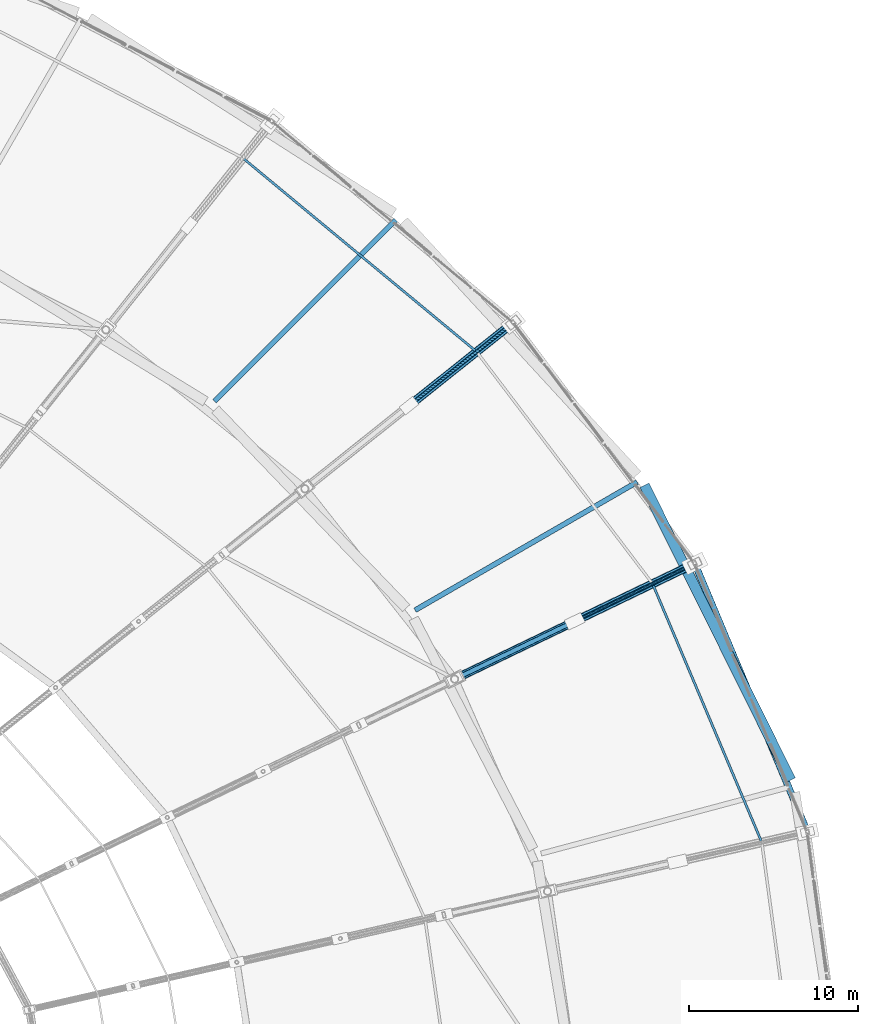
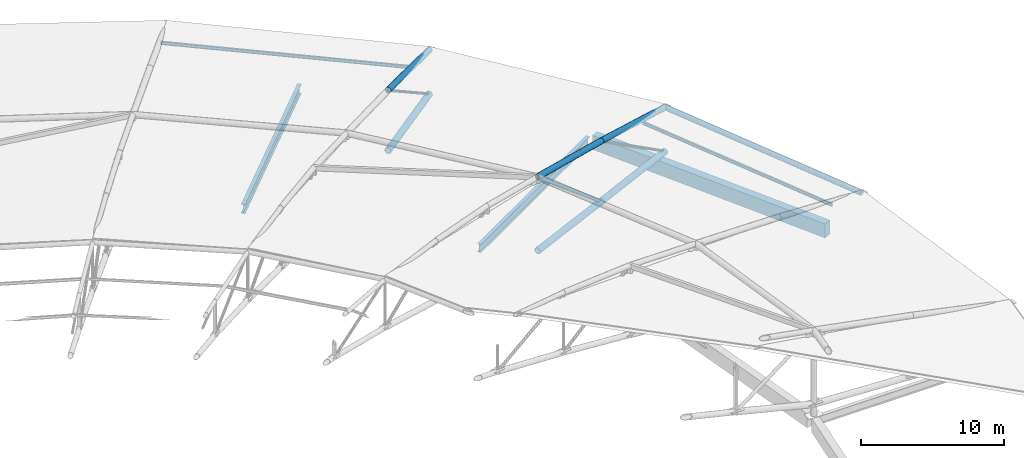
# One storey, part 80 of 108: 12 members, 3 beams.
"""IFC4 building model written with IfcOpenShell, lengths in metres."""

from ifc_helpers import new_model, si_unit, direction, frame, origin, origin_2d, place, context, subcontext, project, spatial, rectangle, hollow_circle, i_section, extrude, material, material_profile, profile_set, type_object, element, save


model = new_model("IFC4")

# Units and contexts
model_context = context("Model", 3, precision=1e-05, world=origin(), true_north=direction((0.0, 1.0)))
body_context = subcontext(model_context, "Body", "Model", "MODEL_VIEW")
ifc_project = project(units=[si_unit("LENGTHUNIT", "METRE"), si_unit("AREAUNIT", "SQUARE_METRE"), si_unit("VOLUMEUNIT", "CUBIC_METRE"), si_unit("PLANEANGLEUNIT", "RADIAN"), si_unit("MASSUNIT", "GRAM", prefix="KILO")], contexts=[model_context])

# Site, building, storey
site_placement = place(None, origin())
site = spatial("IfcSite", under=ifc_project, at=site_placement, CompositionType="ELEMENT")
building_placement = place(site_placement, origin())
building = spatial("IfcBuilding", under=site, at=building_placement, Name="Zevraka Park Crest Stadium", CompositionType="ELEMENT")
storey_placement = place(building_placement, frame((0.0, 0.0, 29.39990234375)))
storey = spatial("IfcBuildingStorey", under=building, at=storey_placement, Name="RF", CompositionType="ELEMENT", Elevation=29.39990234375)

# Beams
ifc_material_1 = material(Name="Steel S355", Category="steel")
ifc_material_profile_1 = material_profile(ifc_material_1, i_section(OverallWidth=0.300048828125, OverallDepth=0.699951171875, WebThickness=0.01708984375, FlangeThickness=0.031982421875, at=origin_2d()), Name="HEB 700")
ifc_profile_set_1 = profile_set([ifc_material_profile_1], Name="Steel S355")
beam_type_1 = type_object("IfcBeamType", Name="BG06", PredefinedType="BEAM", material=ifc_profile_set_1)
beam_1_placement = place(storey_placement, frame((176.779052734375, 121.89990234375, -0.534912109375), z_axis=(0.86601037836, 0.500026023896, 0.0), x_axis=(-0.500026023896, 0.86601037836, 0.0)))
element("IfcBeam", 1, at=beam_1_placement, inside=storey, type_object=beam_type_1, Name="Radial Girder BG06 RF-BD-02", PredefinedType="BEAM", context=body_context, shape_type="SweptSolid", body=[
    extrude(i_section(OverallWidth=0.300048828125, OverallDepth=0.699951171875, WebThickness=0.01708984375, FlangeThickness=0.031982421875, at=origin_2d()), origin(), (0.0, 0.0, 1.0), 15.199462890625),
])
ifc_material_2 = material(Name="Steel S355", Category="steel")
ifc_material_profile_2 = material_profile(ifc_material_2, i_section(OverallWidth=0.300048828125, OverallDepth=0.800048828125, WebThickness=0.017578125, FlangeThickness=0.032958984375, at=origin_2d()), Name="HEB 800")
ifc_profile_set_2 = profile_set([ifc_material_profile_2], Name="Steel S355")
beam_type_2 = type_object("IfcBeamType", Name="BG10", PredefinedType="BEAM", material=ifc_profile_set_2)
beam_2_placement = place(storey_placement, frame((164.89111328125, 134.284912109375, -0.534912109375), z_axis=(0.707130872727, 0.707082688826, 0.0), x_axis=(-0.707082688826, 0.707130872727, 0.0)))
element("IfcBeam", 2, at=beam_2_placement, inside=storey, type_object=beam_type_2, Name="Radial Girder BG10 RF-BD-03", PredefinedType="BEAM", context=body_context, shape_type="SweptSolid", body=[
    extrude(i_section(OverallWidth=0.300048828125, OverallDepth=0.800048828125, WebThickness=0.017578125, FlangeThickness=0.032958984375, at=origin_2d()), origin(), (0.0, 0.0, 1.0), 15.200439453125),
])

# Members
ifc_material_3 = material(Name="Steel S355", Category="steel")
ifc_material_profile_3 = material_profile(ifc_material_3, i_section(OverallWidth=0.135009765625, OverallDepth=0.27001953125, WebThickness=0.006591796875, FlangeThickness=0.01025390625, at=origin_2d()), Name="IPE 270")
ifc_profile_set_3 = profile_set([ifc_material_profile_3], Name="Steel S355")
member_type_1 = type_object("IfcMemberType", Name="PR04", PredefinedType="PURLIN", material=ifc_profile_set_3)
member_1_placement = place(storey_placement, frame((197.330078125, 108.137939453125, 4.302001953125), z_axis=(-0.389065562853, 0.921210067141, 0.0), x_axis=(-0.921210067141, -0.389065562853, 0.0)))
element("IfcMember", 3, at=member_1_placement, inside=storey, type_object=member_type_1, Name="Canopy Roof Purlin PR04 OUTER-02-1", PredefinedType="PURLIN", context=body_context, shape_type="SweptSolid", body=[
    extrude(i_section(OverallWidth=0.135009765625, OverallDepth=0.27001953125, WebThickness=0.006591796875, FlangeThickness=0.01025390625, at=origin_2d()), origin(), (0.0, 0.0, 1.0), 16.64013671875),
])
member_2_placement = place(storey_placement, frame((180.428955078125, 137.218017578125, 4.302001953125), z_axis=(-0.769999473898, 0.638044520544, 0.0), x_axis=(-0.638044520544, -0.769999473898, 0.0)))
element("IfcMember", 4, at=member_2_placement, inside=storey, type_object=member_type_1, Name="Canopy Roof Purlin PR04 OUTER-04-1", PredefinedType="PURLIN", context=body_context, shape_type="SweptSolid", body=[
    extrude(i_section(OverallWidth=0.135009765625, OverallDepth=0.27001953125, WebThickness=0.006591796875, FlangeThickness=0.01025390625, at=origin_2d()), origin(), (0.0, 0.0, 1.0), 17.99853515625),
])

# Beam
ifc_material_4 = material(Name="Concrete C40/50", Category="concrete")
ifc_material_profile_4 = material_profile(ifc_material_4, rectangle(XDim=0.60009765625, YDim=1.199951171875, at=origin_2d()), Name="RC 1200x600")
ifc_profile_set_4 = profile_set([ifc_material_profile_4], Name="Concrete C40/50")
beam_type_3 = type_object("IfcBeamType", Name="RB01", PredefinedType="BEAM", material=ifc_profile_set_4)
beam_3_placement = place(storey_placement, frame((199.053955078125, 111.8291015625, -0.599853515625), z_axis=(-0.444850507814, 0.895604837916, 0.0), x_axis=(-0.895604837916, -0.444850507814, 0.0)))
element("IfcBeam", 5, at=beam_3_placement, inside=storey, type_object=beam_type_3, Name="Ring Beam RB01 RF-D-01", PredefinedType="BEAM", context=body_context, shape_type="SweptSolid", body=[
    extrude(rectangle(XDim=0.60009765625, YDim=1.199951171875, at=origin_2d()), origin(), (0.0, 0.0, 1.0), 19.5185546875),
])

# Members
ifc_material_5 = material(Name="Steel S355", Category="steel")
ifc_material_profile_5 = material_profile(ifc_material_5, hollow_circle(Radius=0.25390625, WallThickness=0.030029296875, at=origin_2d()), Name="CHS 508.0x30")
ifc_profile_set_5 = profile_set([ifc_material_profile_5], Name="Steel S355")
member_type_2 = type_object("IfcMemberType", Name="TC01", PredefinedType="CHORD", material=ifc_profile_set_5)
member_3_placement = place(storey_placement, frame((193.35693359375, 124.6708984375, 0.25), z_axis=(-0.900336253533, -0.433536413531, 0.037957986196), x_axis=(0.433849072955, -0.900985561425, 0.0)))
element("IfcMember", 6, at=member_3_placement, inside=storey, type_object=member_type_2, Name="Roof Truss Bottom Chord TC01 T03-1", PredefinedType="CHORD", context=body_context, shape_type="SweptSolid", body=[
    extrude(hollow_circle(Radius=0.25390625, WallThickness=0.030029296875, at=origin_2d()), origin(), (0.0, 0.0, 1.0), 7.90478515625),
])
member_4_placement = place(storey_placement, frame((186.239990234375, 121.243896484375, 0.550048828125), z_axis=(-0.900077183538, -0.433475689729, 0.044270645899), x_axis=(0.4339010975, -0.90096050834, 0.0)))
element("IfcMember", 7, at=member_4_placement, inside=storey, type_object=member_type_2, Name="Roof Truss Bottom Chord TC01 T03-2", PredefinedType="CHORD", context=body_context, shape_type="SweptSolid", body=[
    extrude(hollow_circle(Radius=0.25390625, WallThickness=0.030029296875, at=origin_2d()), origin(), (0.0, 0.0, 1.0), 7.908203125),
])
member_5_placement = place(storey_placement, frame((182.59912109375, 138.948974609375, 0.25), z_axis=(-0.781218252924, -0.623103162005, 0.037953798191), x_axis=(0.623552434629, -0.781781530396, 0.0)))
element("IfcMember", 8, at=member_5_placement, inside=storey, type_object=member_type_2, Name="Roof Truss Bottom Chord TC01 T04-1", PredefinedType="CHORD", context=body_context, shape_type="SweptSolid", body=[
    extrude(hollow_circle(Radius=0.25390625, WallThickness=0.030029296875, at=origin_2d()), origin(), (0.0, 0.0, 1.0), 7.905517578125),
])
ifc_material_6 = material(Name="Steel S355", Category="steel")
ifc_material_profile_6 = material_profile(ifc_material_6, hollow_circle(Radius=0.228515625, WallThickness=0.02490234375, at=origin_2d()), Name="CHS 457.0x25")
ifc_profile_set_6 = profile_set([ifc_material_profile_6], Name="Steel S355")
member_type_3 = type_object("IfcMemberType", Name="TC02", PredefinedType="CHORD", material=ifc_profile_set_6)
member_6_placement = place(storey_placement, frame((193.35693359375, 124.6708984375, 4.0), z_axis=(-0.88081326699, -0.424135564088, 0.210421035001), x_axis=(0.433849072955, -0.900985561425, 0.0)))
element("IfcMember", 9, at=member_6_placement, inside=storey, type_object=member_type_3, Name="Roof Truss Top Chord TC02 T03-1", PredefinedType="CHORD", context=body_context, shape_type="SweptSolid", body=[
    extrude(hollow_circle(Radius=0.228515625, WallThickness=0.02490234375, at=origin_2d()), origin(), (0.0, 0.0, 1.0), 8.080078125),
])
member_7_placement = place(storey_placement, frame((186.239990234375, 121.243896484375, 5.7001953125), z_axis=(-0.885147609598, -0.426285631499, 0.186532221347), x_axis=(0.4339010975, -0.90096050834, 0.0)))
element("IfcMember", 10, at=member_7_placement, inside=storey, type_object=member_type_3, Name="Roof Truss Top Chord TC02 T03-2", PredefinedType="CHORD", context=body_context, shape_type="SweptSolid", body=[
    extrude(hollow_circle(Radius=0.228515625, WallThickness=0.02490234375, at=origin_2d()), origin(), (0.0, 0.0, 1.0), 8.04150390625),
])
member_8_placement = place(storey_placement, frame((182.59912109375, 138.948974609375, 4.0), z_axis=(-0.764281850897, -0.609594612229, 0.21039881447), x_axis=(0.623552434629, -0.781781530396, 0.0)))
element("IfcMember", 11, at=member_8_placement, inside=storey, type_object=member_type_3, Name="Roof Truss Top Chord TC02 T04-1", PredefinedType="CHORD", context=body_context, shape_type="SweptSolid", body=[
    extrude(hollow_circle(Radius=0.228515625, WallThickness=0.02490234375, at=origin_2d()), origin(), (0.0, 0.0, 1.0), 8.080810546875),
])
ifc_material_7 = material(Name="Steel S355", Category="steel")
ifc_material_profile_7 = material_profile(ifc_material_7, hollow_circle(Radius=0.203125, WallThickness=0.02001953125, at=origin_2d()), Name="CHS 406.4x20")
ifc_profile_set_7 = profile_set([ifc_material_profile_7], Name="Steel S355")
member_type_4 = type_object("IfcMemberType", Name="TC03", PredefinedType="CHORD", material=ifc_profile_set_7)
member_9_placement = place(storey_placement, frame((200.035888671875, 108.756103515625, 4.0), z_axis=(-0.386973466907, 0.922090850139, 0.0), x_axis=(-0.922090850139, -0.386973466907, 0.0)))
element("IfcMember", 12, at=member_9_placement, inside=storey, type_object=member_type_4, Name="Roof Outer Canopy Ring Chord TC03 02", PredefinedType="CHORD", context=body_context, shape_type="SweptSolid", body=[
    extrude(hollow_circle(Radius=0.203125, WallThickness=0.02001953125, at=origin_2d()), origin(), (0.0, 0.0, 1.0), 17.259521484375),
])
ifc_material_8 = material(Name="Steel S355", Category="steel")
ifc_material_profile_8 = material_profile(ifc_material_8, hollow_circle(Radius=0.136474609375, WallThickness=0.012451171875, at=origin_2d()), Name="CHS 273.0x12.5")
ifc_profile_set_8 = profile_set([ifc_material_profile_8], Name="Steel S355")
member_type_5 = type_object("IfcMemberType", Name="WB01", PredefinedType="BRACE", material=ifc_profile_set_8)
member_10_placement = place(storey_placement, frame((186.239990234375, 121.243896484375, 0.550048828125), z_axis=(-0.689274928497, -0.331953670761, 0.643977354736), x_axis=(0.4339010975, -0.90096050834, 0.0)))
element("IfcMember", 13, at=member_10_placement, inside=storey, type_object=member_type_5, Name="Roof Truss Web Diagonal WB01 T03-2", PredefinedType="BRACE", context=body_context, shape_type="SweptSolid", body=[
    extrude(hollow_circle(Radius=0.136474609375, WallThickness=0.012451171875, at=origin_2d()), origin(), (0.0, 0.0, 1.0), 10.32666015625),
])
ifc_material_9 = material(Name="Steel S355", Category="steel")
ifc_material_profile_9 = material_profile(ifc_material_9, hollow_circle(Radius=0.109619140625, WallThickness=0.010009765625, at=origin_2d()), Name="CHS 219.1x10")
ifc_profile_set_9 = profile_set([ifc_material_profile_9], Name="Steel S355")
member_type_6 = type_object("IfcMemberType", Name="WB02", PredefinedType="BRACE", material=ifc_profile_set_9)
member_11_placement = place(storey_placement, frame((193.35693359375, 124.6708984375, 0.25), z_axis=(-0.741590296153, -0.357095913934, 0.567914025979), x_axis=(0.433849072955, -0.900985561425, 0.0)))
element("IfcMember", 14, at=member_11_placement, inside=storey, type_object=member_type_6, Name="Roof Truss Web Diagonal WB02 T03-1", PredefinedType="BRACE", context=body_context, shape_type="SweptSolid", body=[
    extrude(hollow_circle(Radius=0.109619140625, WallThickness=0.010009765625, at=origin_2d()), origin(), (0.0, 0.0, 1.0), 9.596923828125),
])
member_12_placement = place(storey_placement, frame((182.59912109375, 138.948974609375, 0.25), z_axis=(-0.643497834064, -0.513256741824, 0.56787151234), x_axis=(0.623552434629, -0.781781530396, 0.0)))
element("IfcMember", 15, at=member_12_placement, inside=storey, type_object=member_type_6, Name="Roof Truss Web Diagonal WB02 T04-1", PredefinedType="BRACE", context=body_context, shape_type="SweptSolid", body=[
    extrude(hollow_circle(Radius=0.109619140625, WallThickness=0.010009765625, at=origin_2d()), origin(), (0.0, 0.0, 1.0), 9.59765625),
])

save(model, "model.ifc")
